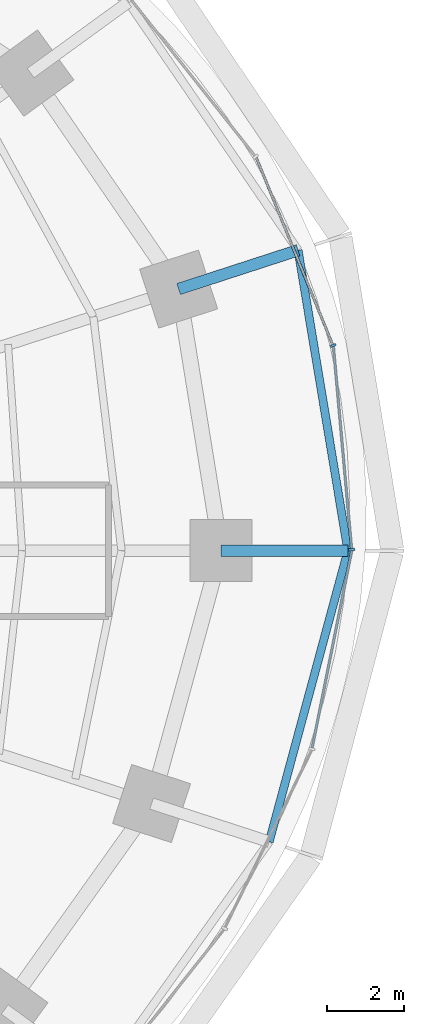
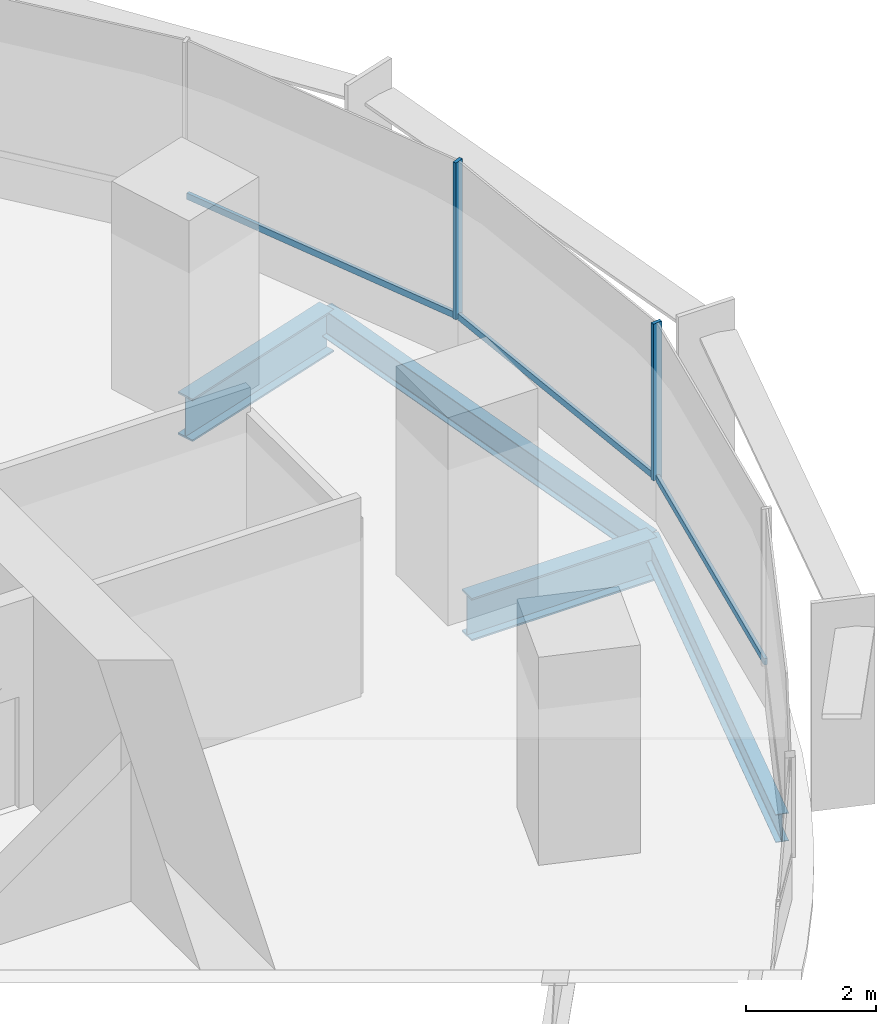
# One storey, part 6 of 14: 5 members, 4 beams, 2 elements without a shape of their own.
"""IFC4 building model written with IfcOpenShell, lengths in metres."""

from ifc_helpers import new_model, si_unit, direction, frame, origin, origin_2d, place, context, subcontext, project, spatial, rectangle, i_section, extrude, material, material_profile, profile_set, type_object, element, aggregate, save


model = new_model("IFC4")

# Units and contexts
model_context = context("Model", 3, precision=1e-05, world=origin(), true_north=direction((0.0, 1.0)))
body_context = subcontext(model_context, "Body", "Model", "MODEL_VIEW")
ifc_project = project(units=[si_unit("LENGTHUNIT", "METRE"), si_unit("AREAUNIT", "SQUARE_METRE"), si_unit("VOLUMEUNIT", "CUBIC_METRE"), si_unit("PLANEANGLEUNIT", "RADIAN"), si_unit("MASSUNIT", "GRAM", prefix="KILO")], contexts=[model_context])

# Site, building, storey
site_placement = place(None, origin())
site = spatial("IfcSite", under=ifc_project, at=site_placement, CompositionType="ELEMENT")
building_placement = place(site_placement, origin())
building = spatial("IfcBuilding", under=site, at=building_placement, Name="Marramba Exchange Tower", CompositionType="ELEMENT")
storey_placement = place(building_placement, frame((0.0, 0.0, 139.199951171875)))
storey = spatial("IfcBuildingStorey", under=building, at=storey_placement, Name="L33", CompositionType="ELEMENT", Elevation=139.199951171875)

# Beams
ifc_material_1 = material(Name="Steel AS/NZS 3679.2 grade 300", Category="steel")
ifc_material_profile_1 = material_profile(ifc_material_1, i_section(OverallWidth=0.300048828125, OverallDepth=0.800048828125, WebThickness=0.013916015625, FlangeThickness=0.031982421875, at=origin_2d()), Name="800WB192")
ifc_profile_set_1 = profile_set([ifc_material_profile_1], Name="Steel AS/NZS 3679.2 grade 300")
beam_type_1 = type_object("IfcBeamType", Name="Cantilever girder 800WB192", PredefinedType="BEAM", material=ifc_profile_set_1)
beam_1_placement = place(storey_placement, frame((21.89990234375, 0.0, -0.56005859375), z_axis=(1.0, 0.0, 0.0), x_axis=(0.0, 1.0, 0.0)))
element("IfcBeam", 1, at=beam_1_placement, inside=storey, type_object=beam_type_1, Name="Cantilever girder L33 TC01", PredefinedType="BEAM", context=body_context, shape_type="SweptSolid", body=[
    extrude(i_section(OverallWidth=0.300048828125, OverallDepth=0.800048828125, WebThickness=0.013916015625, FlangeThickness=0.031982421875, at=origin_2d()), origin(), (0.0, 0.0, 1.0), 3.281982421875),
])
beam_2_placement = place(storey_placement, frame((20.808349609375, 6.760986328125, -0.56005859375), z_axis=(0.95105562578, 0.309019735087, 0.0), x_axis=(-0.309019735087, 0.95105562578, 0.0)))
element("IfcBeam", 2, at=beam_2_placement, inside=storey, type_object=beam_type_1, Name="Cantilever girder L33 TC02", PredefinedType="BEAM", context=body_context, shape_type="SweptSolid", body=[
    extrude(i_section(OverallWidth=0.300048828125, OverallDepth=0.800048828125, WebThickness=0.013916015625, FlangeThickness=0.031982421875, at=origin_2d()), origin(), (0.0, 0.0, 1.0), 3.24560546875),
])

# Curtain wall, members
ifc_material_2 = material(Name="Aluminium framing, bronze anodised", Category="aluminium")
curtain_wall_type = type_object("IfcCurtainWallType", Name="Office ribbon curtain wall", PredefinedType="USERDEFINED", material=ifc_material_2)
curtain_wall_1_placement = place(storey_placement, origin())
curtain_wall_1 = element("IfcCurtainWall", 3, at=curtain_wall_1_placement, inside=storey, type_object=curtain_wall_type, Name="Curtain wall CW4 L33 F01-F05", ObjectType="RIBBON CURTAIN WALL", PredefinedType="USERDEFINED")
ifc_material_3 = material(Name="Aluminium mullion, bronze anodised", Category="aluminium")
ifc_material_profile_2 = material_profile(ifc_material_3, rectangle(XDim=0.159912109375, YDim=0.06005859375, at=origin_2d()), Name="CW4 mullion 60x160")
ifc_profile_set_2 = profile_set([ifc_material_profile_2], Name="Aluminium mullion, bronze anodised")
member_type_1 = type_object("IfcMemberType", Name="Office ribbon curtain wall mullion", PredefinedType="MULLION", material=ifc_profile_set_2)
member_1_placement = place(storey_placement, frame((25.279296875, 0.02978515625, 0.800048828125), z_axis=(0.0, 0.0, 1.0), x_axis=(-0.995994646311, -0.089412887889, 0.0)))
member_1 = element("IfcMember", 4, at=member_1_placement, type_object=member_type_1, Name="CW4 mullion 1", PredefinedType="MULLION", context=body_context, shape_type="SweptSolid", body=[
    extrude(rectangle(XDim=0.159912109375, YDim=0.06005859375, at=origin_2d()), origin(), (0.0, 0.0, 1.0), 2.93994140625),
])
member_2_placement = place(storey_placement, frame((24.79736328125, 5.301025390625, 0.800048828125), z_axis=(0.0, 0.0, 1.0), x_axis=(-0.925878584668, -0.377821183171, 0.0)))
member_2 = element("IfcMember", 5, at=member_2_placement, type_object=member_type_1, Name="CW4 mullion 1", PredefinedType="MULLION", context=body_context, shape_type="SweptSolid", body=[
    extrude(rectangle(XDim=0.159912109375, YDim=0.06005859375, at=origin_2d()), origin(), (0.0, 0.0, 1.0), 2.93994140625),
])
ifc_material_4 = material(Name="Aluminium transom, bronze anodised", Category="aluminium")
ifc_material_profile_3 = material_profile(ifc_material_4, rectangle(XDim=0.06005859375, YDim=0.1201171875, at=origin_2d()), Name="CW4 transom 60x120")
ifc_profile_set_3 = profile_set([ifc_material_profile_3], Name="Aluminium transom, bronze anodised")
member_type_2 = type_object("IfcMemberType", Name="Office ribbon curtain wall transom", PredefinedType="USERDEFINED", material=ifc_profile_set_3)
member_3_placement = place(storey_placement, frame((25.276611328125, 0.059814453125, 0.830078125), z_axis=(-0.089412838135, 0.995994650777, 0.0), x_axis=(-0.995994650777, -0.089412838135, 0.0)))
member_3 = element("IfcMember", 6, at=member_3_placement, type_object=member_type_2, Name="CW4 sill transom", ObjectType="TRANSOM", PredefinedType="USERDEFINED", context=body_context, shape_type="SweptSolid", body=[
    extrude(rectangle(XDim=0.06005859375, YDim=0.1201171875, at=origin_2d()), origin(), (0.0, 0.0, 1.0), 5.234375),
])
member_4_placement = place(storey_placement, frame((24.785888671875, 5.328857421875, 0.830078125), z_axis=(-0.377838039034, 0.925871706155, 0.0), x_axis=(-0.925871706155, -0.377838039034, 0.0)))
member_4 = element("IfcMember", 7, at=member_4_placement, type_object=member_type_2, Name="CW4 sill transom", ObjectType="TRANSOM", PredefinedType="USERDEFINED", context=body_context, shape_type="SweptSolid", body=[
    extrude(rectangle(XDim=0.06005859375, YDim=0.1201171875, at=origin_2d()), origin(), (0.0, 0.0, 1.0), 5.2158203125),
])
aggregate(curtain_wall_1, [member_1, member_3, member_2, member_4])

# Curtain wall, member
curtain_wall_2_placement = place(storey_placement, origin())
curtain_wall_2 = element("IfcCurtainWall", 8, at=curtain_wall_2_placement, inside=storey, type_object=curtain_wall_type, Name="Curtain wall CW4 L33 F26-F30", ObjectType="RIBBON CURTAIN WALL", PredefinedType="USERDEFINED")
member_5_placement = place(storey_placement, frame((24.258056640625, -5.094970703125, 0.830078125), z_axis=(0.197028520451, 0.980397757101, 0.0), x_axis=(-0.980397757101, 0.197028520451, 0.0)))
member_5 = element("IfcMember", 9, at=member_5_placement, type_object=member_type_2, Name="CW4 sill transom", ObjectType="TRANSOM", PredefinedType="USERDEFINED", context=body_context, shape_type="SweptSolid", body=[
    extrude(rectangle(XDim=0.06005859375, YDim=0.1201171875, at=origin_2d()), origin(), (0.0, 0.0, 1.0), 5.19677734375),
])
aggregate(curtain_wall_2, [member_5])

# Beams
ifc_material_5 = material(Name="Steel AS/NZS 3679.1 grade 300", Category="steel")
ifc_material_profile_4 = material_profile(ifc_material_5, i_section(OverallWidth=0.208984375, OverallDepth=0.528076171875, WebThickness=0.009521484375, FlangeThickness=0.01318359375, FilletRadius=0.013916015625, at=origin_2d()), Name="530UB82.0")
ifc_profile_set_4 = profile_set([ifc_material_profile_4], Name="Steel AS/NZS 3679.1 grade 300")
beam_type_2 = type_object("IfcBeamType", Name="Slab edge beam 530UB82.0", PredefinedType="SPANDREL", material=ifc_profile_set_4)
beam_3_placement = place(storey_placement, frame((25.181884765625, 0.0, -0.424072265625), z_axis=(-0.163518559175, 0.986540258076, 0.0), x_axis=(-0.986540258076, -0.163518559175, 0.0)))
element("IfcBeam", 10, at=beam_3_placement, inside=storey, type_object=beam_type_2, Name="Slab edge beam L33 TC01-TC02", PredefinedType="SPANDREL", context=body_context, shape_type="SweptSolid", body=[
    extrude(i_section(OverallWidth=0.208984375, OverallDepth=0.528076171875, WebThickness=0.009521484375, FlangeThickness=0.01318359375, FilletRadius=0.013916015625, at=origin_2d()), origin(), (0.0, 0.0, 1.0), 7.869873046875),
])
beam_4_placement = place(storey_placement, frame((23.148681640625, -7.521484375, -0.424072265625), z_axis=(0.260953221575, 0.965351446961, 0.0), x_axis=(-0.965351446961, 0.260953221575, 0.0)))
element("IfcBeam", 11, at=beam_4_placement, inside=storey, type_object=beam_type_2, Name="Slab edge beam L33 TC20-TC01", PredefinedType="SPANDREL", context=body_context, shape_type="SweptSolid", body=[
    extrude(i_section(OverallWidth=0.208984375, OverallDepth=0.528076171875, WebThickness=0.009521484375, FlangeThickness=0.01318359375, FilletRadius=0.013916015625, at=origin_2d()), origin(), (0.0, 0.0, 1.0), 7.79150390625),
])

save(model, "model.ifc")
